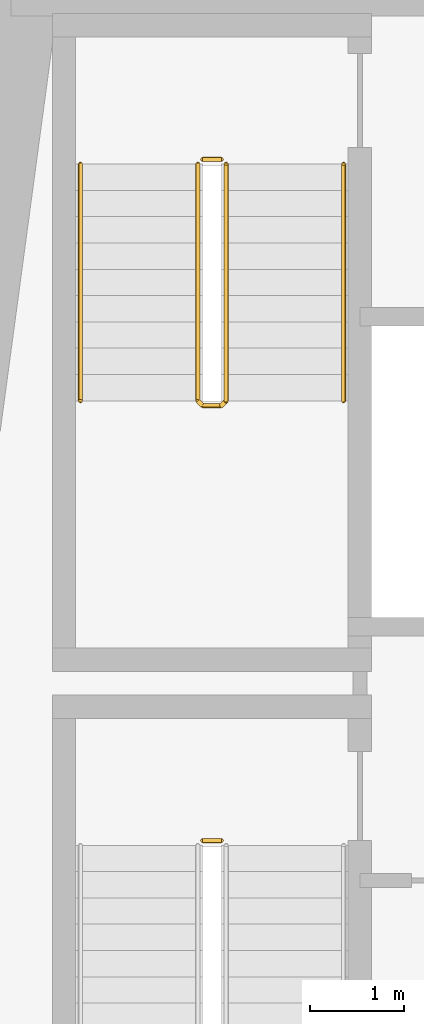
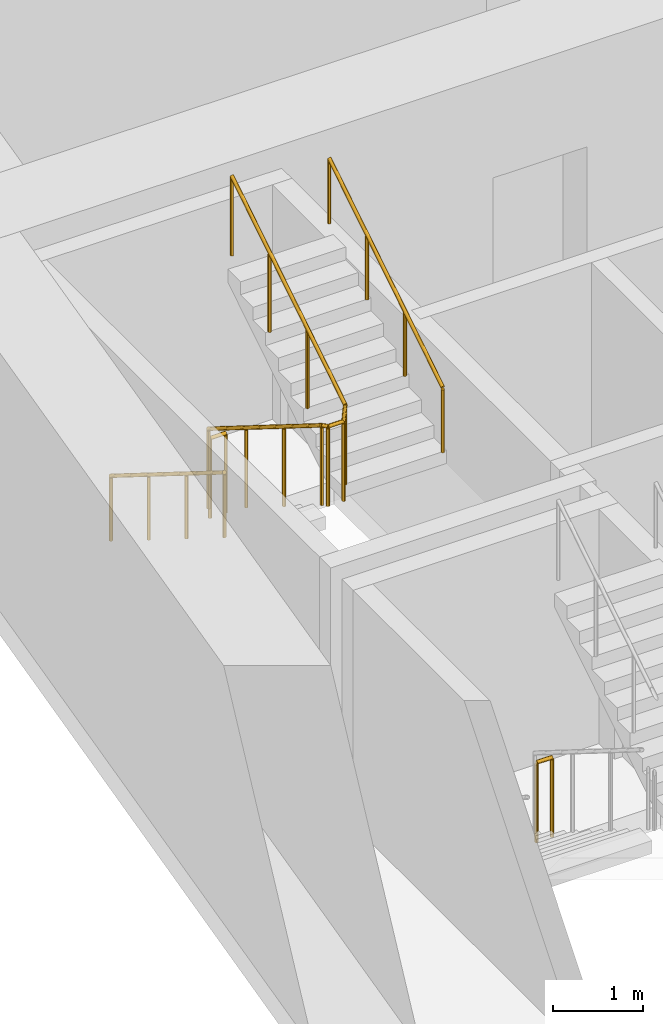
# One storey, part 9 of 12: 5 railings.
"""IFC4 building model written with IfcOpenShell, lengths in metres."""

from ifc_helpers import new_model, si_unit, direction, frame, origin, origin_2d, place, context, subcontext, project, spatial, circle, extrude, material, type_object, element, save


model = new_model("IFC4")

# Units and contexts
model_context = context("Model", 3, precision=1e-05, world=origin(), true_north=direction((0.0, 1.0)))
body_context = subcontext(model_context, "Body", "Model", "MODEL_VIEW")
ifc_project = project(units=[si_unit("LENGTHUNIT", "METRE"), si_unit("AREAUNIT", "SQUARE_METRE"), si_unit("VOLUMEUNIT", "CUBIC_METRE"), si_unit("PLANEANGLEUNIT", "RADIAN"), si_unit("MASSUNIT", "GRAM", prefix="KILO")], contexts=[model_context])

# Site, building, storey
site_placement = place(None, origin())
site = spatial("IfcSite", under=ifc_project, at=site_placement, CompositionType="ELEMENT")
building_placement = place(site_placement, origin())
building = spatial("IfcBuilding", under=site, at=building_placement, Name="Candeia Pilgrim Tower and Theatre", CompositionType="ELEMENT")
storey_placement = place(building_placement, frame((0.0, 0.0, 46.0)))
storey = spatial("IfcBuildingStorey", under=building, at=storey_placement, Name="L08", CompositionType="ELEMENT", Elevation=46.0)

# Railings
ifc_material_1 = material(Name="Stainless steel balustrade", Category="steel")
railing_type_1 = type_object("IfcRailingType", Name="RL-GUARD-1100", PredefinedType="GUARDRAIL", material=ifc_material_1)
railing_1_placement = place(storey_placement, frame((91.152099609375, 122.52490234375, 0.0)))
element("IfcRailing", 1, at=railing_1_placement, inside=storey, type_object=railing_type_1, Name="L08 ST1 stair guard 2", PredefinedType="GUARDRAIL", context=body_context, shape_type="SweptSolid", body=[
    extrude(circle(Radius=0.02392578125, at=origin_2d()), frame((0.0, 0.0, 1.076171875), z_axis=(1.0, 0.0, 0.0), x_axis=(0.0, 1.0, 0.0)), (0.0, 0.0, 1.0), 0.199951171875),
    extrude(circle(Radius=0.02099609375, at=origin_2d()), origin(), (0.0, 0.0, 1.0), 1.052001953125),
    extrude(circle(Radius=0.02099609375, at=origin_2d()), frame((0.199951171875, 0.0, 0.0)), (0.0, 0.0, 1.0), 1.052001953125),
])
railing_2_placement = place(storey_placement, frame((91.10205078125, 129.72509765625, 0.175048828125)))
element("IfcRailing", 2, at=railing_2_placement, inside=storey, type_object=railing_type_1, Name="L08 ST2 stair guard 1", PredefinedType="GUARDRAIL", context=body_context, shape_type="SweptSolid", body=[
    extrude(circle(Radius=0.02392578125, at=origin_2d()), frame((0.0, 0.0, 1.076171875), z_axis=(0.0, -0.848007534815, 0.529984170421), x_axis=(1.0, 0.0, 0.0)), (0.0, 0.0, 1.0), 2.9716796875),
    extrude(circle(Radius=0.02392578125, at=origin_2d()), frame((0.0, -2.52001953125, 2.65087890625), z_axis=(0.707106781187, -0.707106781187, 0.0), x_axis=(0.707106781187, 0.707106781187, 0.0)), (0.0, 0.0, 1.0), 0.07080078125),
    extrude(circle(Radius=0.02392578125, at=origin_2d()), frame((0.050048828125, -2.570068359375, 2.65087890625), z_axis=(1.0, 0.0, 0.0), x_axis=(0.0, 1.0, 0.0)), (0.0, 0.0, 1.0), 0.199951171875),
    extrude(circle(Radius=0.02392578125, at=origin_2d()), frame((0.25, -2.570068359375, 2.65087890625), z_axis=(0.265065253269, 0.265065253269, 0.927081885822), x_axis=(-0.707106781187, 0.707106781187, 0.0)), (0.0, 0.0, 1.0), 0.188720703125),
    extrude(circle(Radius=0.02392578125, at=origin_2d()), frame((0.300048828125, -2.52001953125, 2.826171875), z_axis=(0.0, 0.848007534815, 0.529984170421), x_axis=(-1.0, 0.0, 0.0)), (0.0, 0.0, 1.0), 2.9716796875),
    extrude(circle(Radius=0.02099609375, at=origin_2d()), origin(), (0.0, 0.0, 1.0), 1.052001953125),
    extrude(circle(Radius=0.02099609375, at=origin_2d()), frame((0.0, -0.840087890625, 0.52490234375)), (0.0, 0.0, 1.0), 1.052001953125),
    extrude(circle(Radius=0.02099609375, at=origin_2d()), frame((0.0, -1.679931640625, 1.050048828125)), (0.0, 0.0, 1.0), 1.052001953125),
    extrude(circle(Radius=0.02099609375, at=origin_2d()), frame((0.0, -2.52001953125, 1.574951171875)), (0.0, 0.0, 1.0), 1.052001953125),
    extrude(circle(Radius=0.02099609375, at=origin_2d()), frame((0.050048828125, -2.570068359375, 1.574951171875)), (0.0, 0.0, 1.0), 1.052001953125),
    extrude(circle(Radius=0.02099609375, at=origin_2d()), frame((0.25, -2.570068359375, 1.574951171875)), (0.0, 0.0, 1.0), 1.052001953125),
    extrude(circle(Radius=0.02099609375, at=origin_2d()), frame((0.300048828125, -2.52001953125, 1.75)), (0.0, 0.0, 1.0), 1.052001953125),
    extrude(circle(Radius=0.02099609375, at=origin_2d()), frame((0.300048828125, -1.679931640625, 2.27490234375)), (0.0, 0.0, 1.0), 1.052001953125),
    extrude(circle(Radius=0.02099609375, at=origin_2d()), frame((0.300048828125, -0.840087890625, 2.800048828125)), (0.0, 0.0, 1.0), 1.052001953125),
    extrude(circle(Radius=0.02099609375, at=origin_2d()), frame((0.300048828125, 0.0, 3.324951171875)), (0.0, 0.0, 1.0), 1.052001953125),
])
railing_3_placement = place(storey_placement, frame((91.152099609375, 129.77490234375, 0.0)))
element("IfcRailing", 3, at=railing_3_placement, inside=storey, type_object=railing_type_1, Name="L08 ST2 stair guard 2", PredefinedType="GUARDRAIL", context=body_context, shape_type="SweptSolid", body=[
    extrude(circle(Radius=0.02392578125, at=origin_2d()), frame((0.0, 0.0, 1.076171875), z_axis=(1.0, 0.0, 0.0), x_axis=(0.0, 1.0, 0.0)), (0.0, 0.0, 1.0), 0.199951171875),
    extrude(circle(Radius=0.02099609375, at=origin_2d()), origin(), (0.0, 0.0, 1.0), 1.052001953125),
    extrude(circle(Radius=0.02099609375, at=origin_2d()), frame((0.199951171875, 0.0, 0.0)), (0.0, 0.0, 1.0), 1.052001953125),
])
ifc_material_2 = material(Name="Stainless steel handrail", Category="steel")
railing_type_2 = type_object("IfcRailingType", Name="RL-HANDRAIL-900", PredefinedType="HANDRAIL", material=ifc_material_2)
railing_4_placement = place(storey_placement, frame((89.85205078125, 129.72509765625, 0.175048828125)))
element("IfcRailing", 4, at=railing_4_placement, inside=storey, type_object=railing_type_2, Name="L08 ST2 stair handrail 1", PredefinedType="HANDRAIL", context=body_context, shape_type="SweptSolid", body=[
    extrude(circle(Radius=0.02392578125, at=origin_2d()), frame((0.0, 0.0, 0.8759765625), z_axis=(0.0, -0.848007534815, 0.529984170421), x_axis=(1.0, 0.0, 0.0)), (0.0, 0.0, 1.0), 2.9716796875),
    extrude(circle(Radius=0.02099609375, at=origin_2d()), origin(), (0.0, 0.0, 1.0), 0.851806640625),
    extrude(circle(Radius=0.02099609375, at=origin_2d()), frame((0.0, -0.840087890625, 0.52490234375)), (0.0, 0.0, 1.0), 0.851806640625),
    extrude(circle(Radius=0.02099609375, at=origin_2d()), frame((0.0, -1.679931640625, 1.050048828125)), (0.0, 0.0, 1.0), 0.851806640625),
    extrude(circle(Radius=0.02099609375, at=origin_2d()), frame((0.0, -2.52001953125, 1.574951171875)), (0.0, 0.0, 1.0), 0.851806640625),
])
railing_5_placement = place(storey_placement, frame((92.652099609375, 127.205078125, 1.925048828125)))
element("IfcRailing", 5, at=railing_5_placement, inside=storey, type_object=railing_type_2, Name="L08 ST2 stair handrail 2", PredefinedType="HANDRAIL", context=body_context, shape_type="SweptSolid", body=[
    extrude(circle(Radius=0.02392578125, at=origin_2d()), frame((0.0, 0.0, 0.8759765625), z_axis=(0.0, 0.848007534815, 0.529984170421), x_axis=(-1.0, 0.0, 0.0)), (0.0, 0.0, 1.0), 2.9716796875),
    extrude(circle(Radius=0.02099609375, at=origin_2d()), origin(), (0.0, 0.0, 1.0), 0.851806640625),
    extrude(circle(Radius=0.02099609375, at=origin_2d()), frame((0.0, 0.840087890625, 0.52490234375)), (0.0, 0.0, 1.0), 0.851806640625),
    extrude(circle(Radius=0.02099609375, at=origin_2d()), frame((0.0, 1.679931640625, 1.050048828125)), (0.0, 0.0, 1.0), 0.851806640625),
    extrude(circle(Radius=0.02099609375, at=origin_2d()), frame((0.0, 2.52001953125, 1.574951171875)), (0.0, 0.0, 1.0), 0.851806640625),
])

save(model, "model.ifc")
